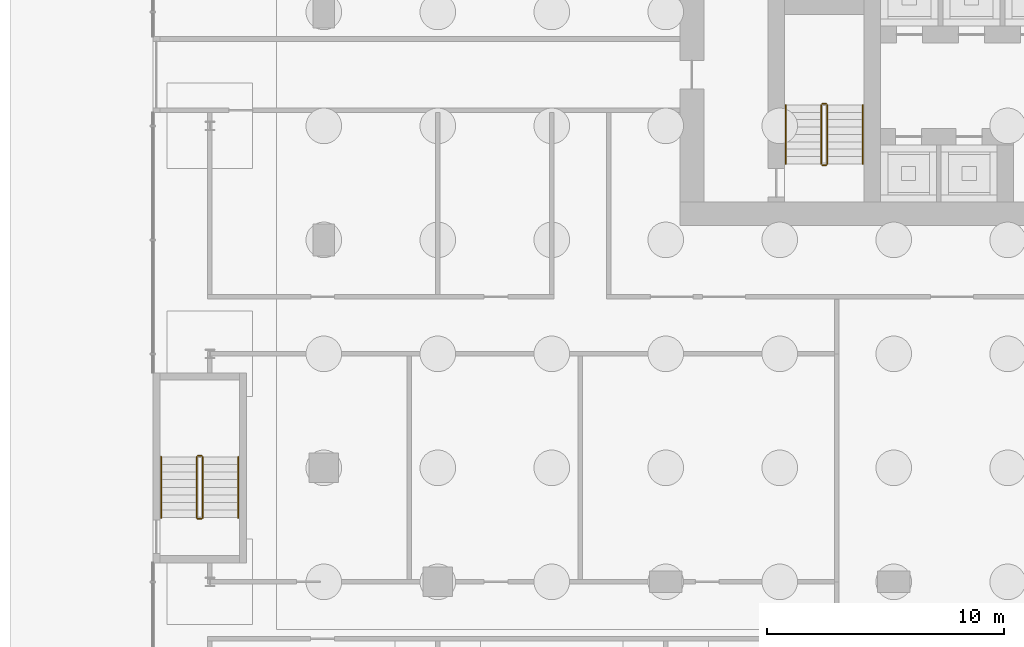
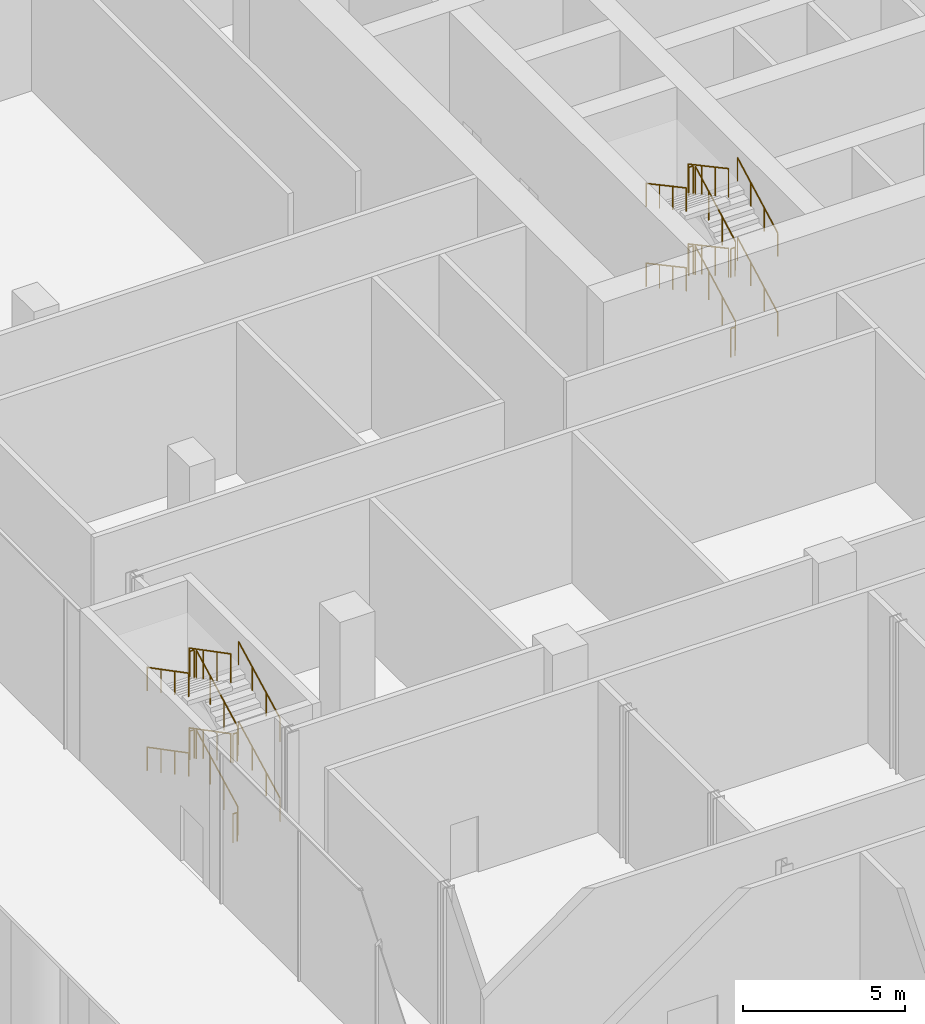
# One storey, part 40 of 44: 24 railings.
"""IFC4 building model written with IfcOpenShell, lengths in metres."""

from ifc_helpers import new_model, si_unit, direction, frame, origin, origin_2d, place, context, subcontext, project, spatial, circle, extrude, material, type_object, element, save


model = new_model("IFC4")

# Units and contexts
model_context = context("Model", 3, precision=1e-05, world=origin(), true_north=direction((0.0, 1.0)))
body_context = subcontext(model_context, "Body", "Model", "MODEL_VIEW")
ifc_project = project(units=[si_unit("LENGTHUNIT", "METRE"), si_unit("AREAUNIT", "SQUARE_METRE"), si_unit("VOLUMEUNIT", "CUBIC_METRE"), si_unit("PLANEANGLEUNIT", "RADIAN"), si_unit("MASSUNIT", "GRAM", prefix="KILO")], contexts=[model_context])

# Site, building, storey
site_placement = place(None, origin())
site = spatial("IfcSite", under=ifc_project, at=site_placement, CompositionType="ELEMENT")
building_placement = place(site_placement, origin())
building = spatial("IfcBuilding", under=site, at=building_placement, Name="Madar Terraces", CompositionType="ELEMENT")
storey_placement = place(building_placement, origin())
storey = spatial("IfcBuildingStorey", under=building, at=storey_placement, Name="L00", CompositionType="ELEMENT", Elevation=0.0)

# Railings
ifc_material_1 = material(Name="Stainless steel railing", Category="steel")
railing_type_1 = type_object("IfcRailingType", Name="Stair guard 1100", PredefinedType="GUARDRAIL", material=ifc_material_1)
railing_1_placement = place(storey_placement, frame((21.199951171875, 17.60009765625, 0.166748046875)))
element("IfcRailing", 1, at=railing_1_placement, inside=storey, type_object=railing_type_1, Name="L00 ST1 stair guard 1", PredefinedType="GUARDRAIL", context=body_context, shape_type="SweptSolid", body=[
    extrude(circle(Radius=0.02392578125, at=origin_2d()), frame((0.0, 0.0, 1.076171875), z_axis=(0.0, 0.880785522881, 0.473515430248), x_axis=(-1.0, 0.0, 0.0)), (0.0, 0.0, 1.0), 2.815673828125),
    extrude(circle(Radius=0.02099609375, at=origin_2d()), origin(), (0.0, 0.0, 1.0), 1.052001953125),
    extrude(circle(Radius=0.02099609375, at=origin_2d()), frame((0.0, 0.82666015625, 0.4443359375)), (0.0, 0.0, 1.0), 1.052001953125),
    extrude(circle(Radius=0.02099609375, at=origin_2d()), frame((0.0, 1.6533203125, 0.888916015625)), (0.0, 0.0, 1.0), 1.052001953125),
    extrude(circle(Radius=0.02099609375, at=origin_2d()), frame((0.0, 2.47998046875, 1.333251953125)), (0.0, 0.0, 1.0), 1.052001953125),
])
railing_2_placement = place(storey_placement, frame((21.14990234375, 20.1298828125, 1.5)))
element("IfcRailing", 2, at=railing_2_placement, inside=storey, type_object=railing_type_1, Name="L00 ST1 stair guard 2", PredefinedType="GUARDRAIL", context=body_context, shape_type="SweptSolid", body=[
    extrude(circle(Radius=0.02392578125, at=origin_2d()), frame((0.0, 0.0, 1.076171875), z_axis=(-1.0, 0.0, 0.0), x_axis=(0.0, -1.0, 0.0)), (0.0, 0.0, 1.0), 0.14990234375),
    extrude(circle(Radius=0.02099609375, at=origin_2d()), origin(), (0.0, 0.0, 1.0), 1.052001953125),
    extrude(circle(Radius=0.02099609375, at=origin_2d()), frame((-0.14990234375, 0.0, 0.0)), (0.0, 0.0, 1.0), 1.052001953125),
])
railing_3_placement = place(storey_placement, frame((20.949951171875, 20.080078125, 1.666748046875)))
element("IfcRailing", 3, at=railing_3_placement, inside=storey, type_object=railing_type_1, Name="L00 ST1 stair guard 3", PredefinedType="GUARDRAIL", context=body_context, shape_type="SweptSolid", body=[
    extrude(circle(Radius=0.02392578125, at=origin_2d()), frame((0.0, 0.0, 1.076171875), z_axis=(0.0, -0.880785522881, 0.473515430248), x_axis=(1.0, 0.0, 0.0)), (0.0, 0.0, 1.0), 2.815673828125),
    extrude(circle(Radius=0.02099609375, at=origin_2d()), origin(), (0.0, 0.0, 1.0), 1.052001953125),
    extrude(circle(Radius=0.02099609375, at=origin_2d()), frame((0.0, -0.82666015625, 0.4443359375)), (0.0, 0.0, 1.0), 1.052001953125),
    extrude(circle(Radius=0.02099609375, at=origin_2d()), frame((0.0, -1.6533203125, 0.888916015625)), (0.0, 0.0, 1.0), 1.052001953125),
    extrude(circle(Radius=0.02099609375, at=origin_2d()), frame((0.0, -2.47998046875, 1.333251953125)), (0.0, 0.0, 1.0), 1.052001953125),
])
railing_4_placement = place(storey_placement, frame((21.14990234375, 17.550048828125, 3.0)))
element("IfcRailing", 4, at=railing_4_placement, inside=storey, type_object=railing_type_1, Name="L00 ST1 stair guard 4", PredefinedType="GUARDRAIL", context=body_context, shape_type="SweptSolid", body=[
    extrude(circle(Radius=0.02392578125, at=origin_2d()), frame((0.0, 0.0, 1.076171875), z_axis=(-1.0, 0.0, 0.0), x_axis=(0.0, -1.0, 0.0)), (0.0, 0.0, 1.0), 0.14990234375),
    extrude(circle(Radius=0.02099609375, at=origin_2d()), origin(), (0.0, 0.0, 1.0), 1.052001953125),
    extrude(circle(Radius=0.02099609375, at=origin_2d()), frame((-0.14990234375, 0.0, 0.0)), (0.0, 0.0, 1.0), 1.052001953125),
])
railing_5_placement = place(storey_placement, frame((21.199951171875, 17.60009765625, 3.166748046875)))
element("IfcRailing", 5, at=railing_5_placement, inside=storey, type_object=railing_type_1, Name="L00 ST1 stair guard 5", PredefinedType="GUARDRAIL", context=body_context, shape_type="SweptSolid", body=[
    extrude(circle(Radius=0.02392578125, at=origin_2d()), frame((0.0, 0.0, 1.076171875), z_axis=(0.0, 0.880785522881, 0.473515430248), x_axis=(-1.0, 0.0, 0.0)), (0.0, 0.0, 1.0), 2.815673828125),
    extrude(circle(Radius=0.02099609375, at=origin_2d()), origin(), (0.0, 0.0, 1.0), 1.052001953125),
    extrude(circle(Radius=0.02099609375, at=origin_2d()), frame((0.0, 0.82666015625, 0.4443359375)), (0.0, 0.0, 1.0), 1.052001953125),
    extrude(circle(Radius=0.02099609375, at=origin_2d()), frame((0.0, 1.6533203125, 0.888916015625)), (0.0, 0.0, 1.0), 1.052001953125),
    extrude(circle(Radius=0.02099609375, at=origin_2d()), frame((0.0, 2.47998046875, 1.333251953125)), (0.0, 0.0, 1.0), 1.052001953125),
])
railing_6_placement = place(storey_placement, frame((21.14990234375, 20.1298828125, 4.5)))
element("IfcRailing", 6, at=railing_6_placement, inside=storey, type_object=railing_type_1, Name="L00 ST1 stair guard 6", PredefinedType="GUARDRAIL", context=body_context, shape_type="SweptSolid", body=[
    extrude(circle(Radius=0.02392578125, at=origin_2d()), frame((0.0, 0.0, 1.076171875), z_axis=(-1.0, 0.0, 0.0), x_axis=(0.0, -1.0, 0.0)), (0.0, 0.0, 1.0), 0.14990234375),
    extrude(circle(Radius=0.02099609375, at=origin_2d()), origin(), (0.0, 0.0, 1.0), 1.052001953125),
    extrude(circle(Radius=0.02099609375, at=origin_2d()), frame((-0.14990234375, 0.0, 0.0)), (0.0, 0.0, 1.0), 1.052001953125),
])
railing_7_placement = place(storey_placement, frame((20.949951171875, 20.080078125, 4.666748046875)))
element("IfcRailing", 7, at=railing_7_placement, inside=storey, type_object=railing_type_1, Name="L00 ST1 stair guard 7", PredefinedType="GUARDRAIL", context=body_context, shape_type="SweptSolid", body=[
    extrude(circle(Radius=0.02392578125, at=origin_2d()), frame((0.0, 0.0, 1.076171875), z_axis=(0.0, -0.880785522881, 0.473515430248), x_axis=(1.0, 0.0, 0.0)), (0.0, 0.0, 1.0), 2.815673828125),
    extrude(circle(Radius=0.02099609375, at=origin_2d()), origin(), (0.0, 0.0, 1.0), 1.052001953125),
    extrude(circle(Radius=0.02099609375, at=origin_2d()), frame((0.0, -0.82666015625, 0.4443359375)), (0.0, 0.0, 1.0), 1.052001953125),
    extrude(circle(Radius=0.02099609375, at=origin_2d()), frame((0.0, -1.6533203125, 0.888916015625)), (0.0, 0.0, 1.0), 1.052001953125),
    extrude(circle(Radius=0.02099609375, at=origin_2d()), frame((0.0, -2.47998046875, 1.333251953125)), (0.0, 0.0, 1.0), 1.052001953125),
])
railing_8_placement = place(storey_placement, frame((21.14990234375, 17.550048828125, 0.0)))
element("IfcRailing", 8, at=railing_8_placement, inside=storey, type_object=railing_type_1, Name="L00 ST1 stair guard 8", PredefinedType="GUARDRAIL", context=body_context, shape_type="SweptSolid", body=[
    extrude(circle(Radius=0.02392578125, at=origin_2d()), frame((0.0, 0.0, 1.076171875), z_axis=(-1.0, 0.0, 0.0), x_axis=(0.0, -1.0, 0.0)), (0.0, 0.0, 1.0), 0.14990234375),
    extrude(circle(Radius=0.02099609375, at=origin_2d()), origin(), (0.0, 0.0, 1.0), 1.052001953125),
    extrude(circle(Radius=0.02099609375, at=origin_2d()), frame((-0.14990234375, 0.0, 0.0)), (0.0, 0.0, 1.0), 1.052001953125),
])
railing_9_placement = place(storey_placement, frame((-5.10009765625, 2.699951171875, 0.166748046875)))
element("IfcRailing", 9, at=railing_9_placement, inside=storey, type_object=railing_type_1, Name="L00 PS1 stair guard 1", PredefinedType="GUARDRAIL", context=body_context, shape_type="SweptSolid", body=[
    extrude(circle(Radius=0.02392578125, at=origin_2d()), frame((0.0, 0.0, 1.076171875), z_axis=(0.0, 0.886929966286, 0.461903923888), x_axis=(-1.0, 0.0, 0.0)), (0.0, 0.0, 1.0), 2.886474609375),
    extrude(circle(Radius=0.02099609375, at=origin_2d()), origin(), (0.0, 0.0, 1.0), 1.052001953125),
    extrude(circle(Radius=0.02099609375, at=origin_2d()), frame((0.0, 0.853271484375, 0.4443359375)), (0.0, 0.0, 1.0), 1.052001953125),
    extrude(circle(Radius=0.02099609375, at=origin_2d()), frame((0.0, 1.706787109375, 0.888916015625)), (0.0, 0.0, 1.0), 1.052001953125),
    extrude(circle(Radius=0.02099609375, at=origin_2d()), frame((0.0, 2.56005859375, 1.333251953125)), (0.0, 0.0, 1.0), 1.052001953125),
])
railing_10_placement = place(storey_placement, frame((-5.14990234375, 5.31005859375, 1.5)))
element("IfcRailing", 10, at=railing_10_placement, inside=storey, type_object=railing_type_1, Name="L00 PS1 stair guard 2", PredefinedType="GUARDRAIL", context=body_context, shape_type="SweptSolid", body=[
    extrude(circle(Radius=0.02392578125, at=origin_2d()), frame((0.0, 0.0, 1.076171875), z_axis=(-1.0, 0.0, 0.0), x_axis=(0.0, -1.0, 0.0)), (0.0, 0.0, 1.0), 0.150146484375),
    extrude(circle(Radius=0.02099609375, at=origin_2d()), origin(), (0.0, 0.0, 1.0), 1.052001953125),
    extrude(circle(Radius=0.02099609375, at=origin_2d()), frame((-0.150146484375, 0.0, 0.0)), (0.0, 0.0, 1.0), 1.052001953125),
])
railing_11_placement = place(storey_placement, frame((-5.35009765625, 5.260009765625, 1.666748046875)))
element("IfcRailing", 11, at=railing_11_placement, inside=storey, type_object=railing_type_1, Name="L00 PS1 stair guard 3", PredefinedType="GUARDRAIL", context=body_context, shape_type="SweptSolid", body=[
    extrude(circle(Radius=0.02392578125, at=origin_2d()), frame((0.0, 0.0, 1.076171875), z_axis=(0.0, -0.886929966286, 0.461903923888), x_axis=(1.0, 0.0, 0.0)), (0.0, 0.0, 1.0), 2.886474609375),
    extrude(circle(Radius=0.02099609375, at=origin_2d()), origin(), (0.0, 0.0, 1.0), 1.052001953125),
    extrude(circle(Radius=0.02099609375, at=origin_2d()), frame((0.0, -0.853271484375, 0.4443359375)), (0.0, 0.0, 1.0), 1.052001953125),
    extrude(circle(Radius=0.02099609375, at=origin_2d()), frame((0.0, -1.706787109375, 0.888916015625)), (0.0, 0.0, 1.0), 1.052001953125),
    extrude(circle(Radius=0.02099609375, at=origin_2d()), frame((0.0, -2.56005859375, 1.333251953125)), (0.0, 0.0, 1.0), 1.052001953125),
])
railing_12_placement = place(storey_placement, frame((-5.14990234375, 2.64990234375, 3.0)))
element("IfcRailing", 12, at=railing_12_placement, inside=storey, type_object=railing_type_1, Name="L00 PS1 stair guard 4", PredefinedType="GUARDRAIL", context=body_context, shape_type="SweptSolid", body=[
    extrude(circle(Radius=0.02392578125, at=origin_2d()), frame((0.0, 0.0, 1.076171875), z_axis=(-1.0, 0.0, 0.0), x_axis=(0.0, -1.0, 0.0)), (0.0, 0.0, 1.0), 0.150146484375),
    extrude(circle(Radius=0.02099609375, at=origin_2d()), origin(), (0.0, 0.0, 1.0), 1.052001953125),
    extrude(circle(Radius=0.02099609375, at=origin_2d()), frame((-0.150146484375, 0.0, 0.0)), (0.0, 0.0, 1.0), 1.052001953125),
])
railing_13_placement = place(storey_placement, frame((-5.10009765625, 2.699951171875, 3.166748046875)))
element("IfcRailing", 13, at=railing_13_placement, inside=storey, type_object=railing_type_1, Name="L00 PS1 stair guard 5", PredefinedType="GUARDRAIL", context=body_context, shape_type="SweptSolid", body=[
    extrude(circle(Radius=0.02392578125, at=origin_2d()), frame((0.0, 0.0, 1.076171875), z_axis=(0.0, 0.886929966286, 0.461903923888), x_axis=(-1.0, 0.0, 0.0)), (0.0, 0.0, 1.0), 2.886474609375),
    extrude(circle(Radius=0.02099609375, at=origin_2d()), origin(), (0.0, 0.0, 1.0), 1.052001953125),
    extrude(circle(Radius=0.02099609375, at=origin_2d()), frame((0.0, 0.853271484375, 0.4443359375)), (0.0, 0.0, 1.0), 1.052001953125),
    extrude(circle(Radius=0.02099609375, at=origin_2d()), frame((0.0, 1.706787109375, 0.888916015625)), (0.0, 0.0, 1.0), 1.052001953125),
    extrude(circle(Radius=0.02099609375, at=origin_2d()), frame((0.0, 2.56005859375, 1.333251953125)), (0.0, 0.0, 1.0), 1.052001953125),
])
railing_14_placement = place(storey_placement, frame((-5.14990234375, 5.31005859375, 4.5)))
element("IfcRailing", 14, at=railing_14_placement, inside=storey, type_object=railing_type_1, Name="L00 PS1 stair guard 6", PredefinedType="GUARDRAIL", context=body_context, shape_type="SweptSolid", body=[
    extrude(circle(Radius=0.02392578125, at=origin_2d()), frame((0.0, 0.0, 1.076171875), z_axis=(-1.0, 0.0, 0.0), x_axis=(0.0, -1.0, 0.0)), (0.0, 0.0, 1.0), 0.150146484375),
    extrude(circle(Radius=0.02099609375, at=origin_2d()), origin(), (0.0, 0.0, 1.0), 1.052001953125),
    extrude(circle(Radius=0.02099609375, at=origin_2d()), frame((-0.150146484375, 0.0, 0.0)), (0.0, 0.0, 1.0), 1.052001953125),
])
railing_15_placement = place(storey_placement, frame((-5.35009765625, 5.260009765625, 4.666748046875)))
element("IfcRailing", 15, at=railing_15_placement, inside=storey, type_object=railing_type_1, Name="L00 PS1 stair guard 7", PredefinedType="GUARDRAIL", context=body_context, shape_type="SweptSolid", body=[
    extrude(circle(Radius=0.02392578125, at=origin_2d()), frame((0.0, 0.0, 1.076171875), z_axis=(0.0, -0.886929966286, 0.461903923888), x_axis=(1.0, 0.0, 0.0)), (0.0, 0.0, 1.0), 2.886474609375),
    extrude(circle(Radius=0.02099609375, at=origin_2d()), origin(), (0.0, 0.0, 1.0), 1.052001953125),
    extrude(circle(Radius=0.02099609375, at=origin_2d()), frame((0.0, -0.853271484375, 0.4443359375)), (0.0, 0.0, 1.0), 1.052001953125),
    extrude(circle(Radius=0.02099609375, at=origin_2d()), frame((0.0, -1.706787109375, 0.888916015625)), (0.0, 0.0, 1.0), 1.052001953125),
    extrude(circle(Radius=0.02099609375, at=origin_2d()), frame((0.0, -2.56005859375, 1.333251953125)), (0.0, 0.0, 1.0), 1.052001953125),
])
railing_16_placement = place(storey_placement, frame((-5.14990234375, 2.64990234375, 0.0)))
element("IfcRailing", 16, at=railing_16_placement, inside=storey, type_object=railing_type_1, Name="L00 PS1 stair guard 8", PredefinedType="GUARDRAIL", context=body_context, shape_type="SweptSolid", body=[
    extrude(circle(Radius=0.02392578125, at=origin_2d()), frame((0.0, 0.0, 1.076171875), z_axis=(-1.0, 0.0, 0.0), x_axis=(0.0, -1.0, 0.0)), (0.0, 0.0, 1.0), 0.150146484375),
    extrude(circle(Radius=0.02099609375, at=origin_2d()), origin(), (0.0, 0.0, 1.0), 1.052001953125),
    extrude(circle(Radius=0.02099609375, at=origin_2d()), frame((-0.150146484375, 0.0, 0.0)), (0.0, 0.0, 1.0), 1.052001953125),
])
ifc_material_2 = material(Name="Stainless steel railing", Category="steel")
railing_type_2 = type_object("IfcRailingType", Name="Stair handrail 900", PredefinedType="HANDRAIL", material=ifc_material_2)
railing_17_placement = place(storey_placement, frame((22.699951171875, 17.60009765625, 0.166748046875)))
element("IfcRailing", 17, at=railing_17_placement, inside=storey, type_object=railing_type_2, Name="L00 ST1 stair handrail 1", PredefinedType="HANDRAIL", context=body_context, shape_type="SweptSolid", body=[
    extrude(circle(Radius=0.02392578125, at=origin_2d()), frame((0.0, 0.0, 0.8759765625), z_axis=(0.0, 0.880785522881, 0.473515430248), x_axis=(-1.0, 0.0, 0.0)), (0.0, 0.0, 1.0), 2.815673828125),
    extrude(circle(Radius=0.02099609375, at=origin_2d()), origin(), (0.0, 0.0, 1.0), 0.851806640625),
    extrude(circle(Radius=0.02099609375, at=origin_2d()), frame((0.0, 0.82666015625, 0.4443359375)), (0.0, 0.0, 1.0), 0.851806640625),
    extrude(circle(Radius=0.02099609375, at=origin_2d()), frame((0.0, 1.6533203125, 0.888916015625)), (0.0, 0.0, 1.0), 0.851806640625),
    extrude(circle(Radius=0.02099609375, at=origin_2d()), frame((0.0, 2.47998046875, 1.333251953125)), (0.0, 0.0, 1.0), 0.851806640625),
])
railing_18_placement = place(storey_placement, frame((19.449951171875, 20.080078125, 1.666748046875)))
element("IfcRailing", 18, at=railing_18_placement, inside=storey, type_object=railing_type_2, Name="L00 ST1 stair handrail 2", PredefinedType="HANDRAIL", context=body_context, shape_type="SweptSolid", body=[
    extrude(circle(Radius=0.02392578125, at=origin_2d()), frame((0.0, 0.0, 0.8759765625), z_axis=(0.0, -0.880785522881, 0.473515430248), x_axis=(1.0, 0.0, 0.0)), (0.0, 0.0, 1.0), 2.815673828125),
    extrude(circle(Radius=0.02099609375, at=origin_2d()), origin(), (0.0, 0.0, 1.0), 0.851806640625),
    extrude(circle(Radius=0.02099609375, at=origin_2d()), frame((0.0, -0.82666015625, 0.4443359375)), (0.0, 0.0, 1.0), 0.851806640625),
    extrude(circle(Radius=0.02099609375, at=origin_2d()), frame((0.0, -1.6533203125, 0.888916015625)), (0.0, 0.0, 1.0), 0.851806640625),
    extrude(circle(Radius=0.02099609375, at=origin_2d()), frame((0.0, -2.47998046875, 1.333251953125)), (0.0, 0.0, 1.0), 0.851806640625),
])
railing_19_placement = place(storey_placement, frame((22.699951171875, 17.60009765625, 3.166748046875)))
element("IfcRailing", 19, at=railing_19_placement, inside=storey, type_object=railing_type_2, Name="L00 ST1 stair handrail 3", PredefinedType="HANDRAIL", context=body_context, shape_type="SweptSolid", body=[
    extrude(circle(Radius=0.02392578125, at=origin_2d()), frame((0.0, 0.0, 0.8759765625), z_axis=(0.0, 0.880785522881, 0.473515430248), x_axis=(-1.0, 0.0, 0.0)), (0.0, 0.0, 1.0), 2.815673828125),
    extrude(circle(Radius=0.02099609375, at=origin_2d()), origin(), (0.0, 0.0, 1.0), 0.851806640625),
    extrude(circle(Radius=0.02099609375, at=origin_2d()), frame((0.0, 0.82666015625, 0.4443359375)), (0.0, 0.0, 1.0), 0.851806640625),
    extrude(circle(Radius=0.02099609375, at=origin_2d()), frame((0.0, 1.6533203125, 0.888916015625)), (0.0, 0.0, 1.0), 0.851806640625),
    extrude(circle(Radius=0.02099609375, at=origin_2d()), frame((0.0, 2.47998046875, 1.333251953125)), (0.0, 0.0, 1.0), 0.851806640625),
])
railing_20_placement = place(storey_placement, frame((19.449951171875, 20.080078125, 4.666748046875)))
element("IfcRailing", 20, at=railing_20_placement, inside=storey, type_object=railing_type_2, Name="L00 ST1 stair handrail 4", PredefinedType="HANDRAIL", context=body_context, shape_type="SweptSolid", body=[
    extrude(circle(Radius=0.02392578125, at=origin_2d()), frame((0.0, 0.0, 0.8759765625), z_axis=(0.0, -0.880785522881, 0.473515430248), x_axis=(1.0, 0.0, 0.0)), (0.0, 0.0, 1.0), 2.815673828125),
    extrude(circle(Radius=0.02099609375, at=origin_2d()), origin(), (0.0, 0.0, 1.0), 0.851806640625),
    extrude(circle(Radius=0.02099609375, at=origin_2d()), frame((0.0, -0.82666015625, 0.4443359375)), (0.0, 0.0, 1.0), 0.851806640625),
    extrude(circle(Radius=0.02099609375, at=origin_2d()), frame((0.0, -1.6533203125, 0.888916015625)), (0.0, 0.0, 1.0), 0.851806640625),
    extrude(circle(Radius=0.02099609375, at=origin_2d()), frame((0.0, -2.47998046875, 1.333251953125)), (0.0, 0.0, 1.0), 0.851806640625),
])
railing_21_placement = place(storey_placement, frame((-3.60009765625, 2.699951171875, 0.166748046875)))
element("IfcRailing", 21, at=railing_21_placement, inside=storey, type_object=railing_type_2, Name="L00 PS1 stair handrail 1", PredefinedType="HANDRAIL", context=body_context, shape_type="SweptSolid", body=[
    extrude(circle(Radius=0.02392578125, at=origin_2d()), frame((0.0, 0.0, 0.8759765625), z_axis=(0.0, 0.886929966286, 0.461903923888), x_axis=(-1.0, 0.0, 0.0)), (0.0, 0.0, 1.0), 2.886474609375),
    extrude(circle(Radius=0.02099609375, at=origin_2d()), origin(), (0.0, 0.0, 1.0), 0.851806640625),
    extrude(circle(Radius=0.02099609375, at=origin_2d()), frame((0.0, 0.853271484375, 0.4443359375)), (0.0, 0.0, 1.0), 0.851806640625),
    extrude(circle(Radius=0.02099609375, at=origin_2d()), frame((0.0, 1.706787109375, 0.888916015625)), (0.0, 0.0, 1.0), 0.851806640625),
    extrude(circle(Radius=0.02099609375, at=origin_2d()), frame((0.0, 2.56005859375, 1.333251953125)), (0.0, 0.0, 1.0), 0.851806640625),
])
railing_22_placement = place(storey_placement, frame((-6.85009765625, 5.260009765625, 1.666748046875)))
element("IfcRailing", 22, at=railing_22_placement, inside=storey, type_object=railing_type_2, Name="L00 PS1 stair handrail 2", PredefinedType="HANDRAIL", context=body_context, shape_type="SweptSolid", body=[
    extrude(circle(Radius=0.02392578125, at=origin_2d()), frame((0.0, 0.0, 0.8759765625), z_axis=(0.0, -0.886929966286, 0.461903923888), x_axis=(1.0, 0.0, 0.0)), (0.0, 0.0, 1.0), 2.886474609375),
    extrude(circle(Radius=0.02099609375, at=origin_2d()), origin(), (0.0, 0.0, 1.0), 0.851806640625),
    extrude(circle(Radius=0.02099609375, at=origin_2d()), frame((0.0, -0.853271484375, 0.4443359375)), (0.0, 0.0, 1.0), 0.851806640625),
    extrude(circle(Radius=0.02099609375, at=origin_2d()), frame((0.0, -1.706787109375, 0.888916015625)), (0.0, 0.0, 1.0), 0.851806640625),
    extrude(circle(Radius=0.02099609375, at=origin_2d()), frame((0.0, -2.56005859375, 1.333251953125)), (0.0, 0.0, 1.0), 0.851806640625),
])
railing_23_placement = place(storey_placement, frame((-3.60009765625, 2.699951171875, 3.166748046875)))
element("IfcRailing", 23, at=railing_23_placement, inside=storey, type_object=railing_type_2, Name="L00 PS1 stair handrail 3", PredefinedType="HANDRAIL", context=body_context, shape_type="SweptSolid", body=[
    extrude(circle(Radius=0.02392578125, at=origin_2d()), frame((0.0, 0.0, 0.8759765625), z_axis=(0.0, 0.886929966286, 0.461903923888), x_axis=(-1.0, 0.0, 0.0)), (0.0, 0.0, 1.0), 2.886474609375),
    extrude(circle(Radius=0.02099609375, at=origin_2d()), origin(), (0.0, 0.0, 1.0), 0.851806640625),
    extrude(circle(Radius=0.02099609375, at=origin_2d()), frame((0.0, 0.853271484375, 0.4443359375)), (0.0, 0.0, 1.0), 0.851806640625),
    extrude(circle(Radius=0.02099609375, at=origin_2d()), frame((0.0, 1.706787109375, 0.888916015625)), (0.0, 0.0, 1.0), 0.851806640625),
    extrude(circle(Radius=0.02099609375, at=origin_2d()), frame((0.0, 2.56005859375, 1.333251953125)), (0.0, 0.0, 1.0), 0.851806640625),
])
railing_24_placement = place(storey_placement, frame((-6.85009765625, 5.260009765625, 4.666748046875)))
element("IfcRailing", 24, at=railing_24_placement, inside=storey, type_object=railing_type_2, Name="L00 PS1 stair handrail 4", PredefinedType="HANDRAIL", context=body_context, shape_type="SweptSolid", body=[
    extrude(circle(Radius=0.02392578125, at=origin_2d()), frame((0.0, 0.0, 0.8759765625), z_axis=(0.0, -0.886929966286, 0.461903923888), x_axis=(1.0, 0.0, 0.0)), (0.0, 0.0, 1.0), 2.886474609375),
    extrude(circle(Radius=0.02099609375, at=origin_2d()), origin(), (0.0, 0.0, 1.0), 0.851806640625),
    extrude(circle(Radius=0.02099609375, at=origin_2d()), frame((0.0, -0.853271484375, 0.4443359375)), (0.0, 0.0, 1.0), 0.851806640625),
    extrude(circle(Radius=0.02099609375, at=origin_2d()), frame((0.0, -1.706787109375, 0.888916015625)), (0.0, 0.0, 1.0), 0.851806640625),
    extrude(circle(Radius=0.02099609375, at=origin_2d()), frame((0.0, -2.56005859375, 1.333251953125)), (0.0, 0.0, 1.0), 0.851806640625),
])

save(model, "model.ifc")
